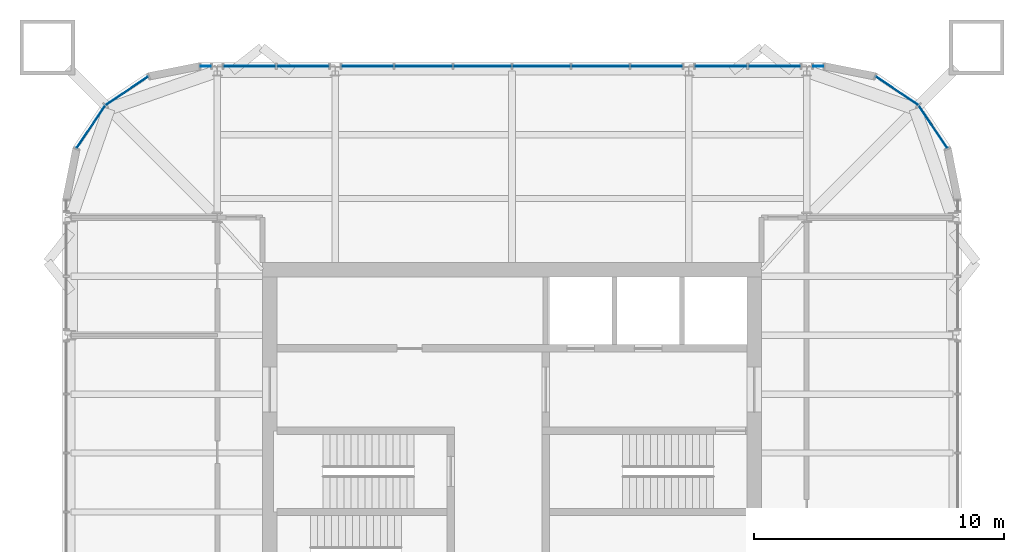
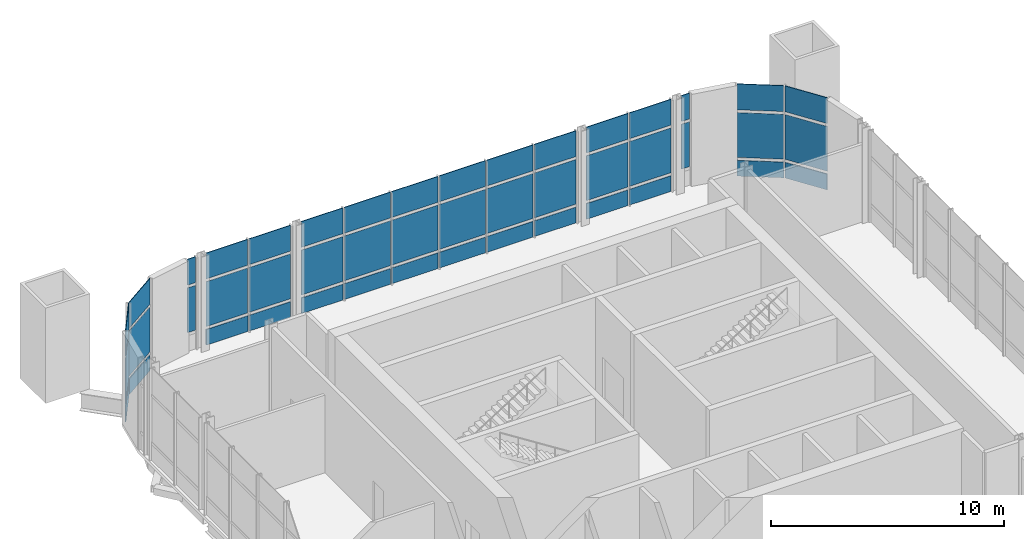
# One storey, part 12 of 15: 46 plates, 7 elements without a shape of their own.
"""IFC4 building model written with IfcOpenShell, lengths in metres."""

from ifc_helpers import new_model, si_unit, direction, frame, origin, origin_2d, place, context, subcontext, project, spatial, rectangle, extrude, material, layer, layer_set, type_object, element, aggregate, save


model = new_model("IFC4")

# Units and contexts
model_context = context("Model", 3, precision=1e-05, world=origin(), true_north=direction((0.0, 1.0)))
body_context = subcontext(model_context, "Body", "Model", "MODEL_VIEW")
ifc_project = project(units=[si_unit("LENGTHUNIT", "METRE"), si_unit("AREAUNIT", "SQUARE_METRE"), si_unit("VOLUMEUNIT", "CUBIC_METRE"), si_unit("PLANEANGLEUNIT", "RADIAN"), si_unit("MASSUNIT", "GRAM", prefix="KILO")], contexts=[model_context])

# Site, building, storey
site_placement = place(None, origin())
site = spatial("IfcSite", under=ifc_project, at=site_placement, CompositionType="ELEMENT")
building_placement = place(site_placement, origin())
building = spatial("IfcBuilding", under=site, at=building_placement, Name="Turquesa Mirador Hotel Tower", CompositionType="ELEMENT")
storey_placement = place(building_placement, frame((0.0, 0.0, 261.699951171875)))
storey = spatial("IfcBuildingStorey", under=building, at=storey_placement, Name="L71", CompositionType="ELEMENT", Elevation=261.699951171875)

# Curtain wall, plates
ifc_material_1 = material(Name="Aluminium extrusion", Category="aluminium")
curtain_wall_type = type_object("IfcCurtainWallType", Name="CW-5 SKY RESTAURANT CURTAIN WALL", PredefinedType="USERDEFINED", material=ifc_material_1)
curtain_wall_1_placement = place(storey_placement, origin())
curtain_wall_1 = element("IfcCurtainWall", 1, at=curtain_wall_1_placement, inside=storey, type_object=curtain_wall_type, Name="CW-5 SKY RESTAURANT CURTAIN WALL L71", ObjectType="CURTAIN WALL", PredefinedType="USERDEFINED")
ifc_material_2 = material(Name="Ceramic-printed spandrel glass on an insulated back pan", Category="glass")
ifc_layer_1 = layer(ifc_material_2, 0.050048828125)
ifc_layer_set_1 = layer_set([ifc_layer_1], Name="CW PANEL SPANDREL CERAMIC")
plate_type_1 = type_object("IfcPlateType", Name="CW PANEL SPANDREL CERAMIC", PredefinedType="CURTAIN_PANEL", material=ifc_layer_set_1)
plate_1_placement = place(storey_placement, frame((71.86279296875, 60.415283203125, 0.0), z_axis=(0.0, 0.0, 1.0), x_axis=(-0.555570141754, 0.831469673284, 0.0)))
plate_1 = element("IfcPlate", 2, at=plate_1_placement, type_object=plate_type_1, Name="Panel", PredefinedType="CURTAIN_PANEL", context=body_context, shape_type="SweptSolid", body=[
    extrude(rectangle(XDim=2.0224609375, YDim=0.050048828125, at=origin_2d()), origin(), (0.0, 0.0, 1.0), 0.824951171875),
])
plate_2_placement = place(storey_placement, frame((70.415283203125, 61.86279296875, 0.0), z_axis=(0.0, 0.0, 1.0), x_axis=(-0.831469673284, 0.555570141754, 0.0)))
plate_2 = element("IfcPlate", 3, at=plate_2_placement, type_object=plate_type_1, Name="Panel", PredefinedType="CURTAIN_PANEL", context=body_context, shape_type="SweptSolid", body=[
    extrude(rectangle(XDim=2.0224609375, YDim=0.050048828125, at=origin_2d()), origin(), (0.0, 0.0, 1.0), 0.824951171875),
])

curtain_wall_2_placement = place(storey_placement, origin())
curtain_wall_2 = element("IfcCurtainWall", 4, at=curtain_wall_2_placement, inside=storey, type_object=curtain_wall_type, Name="CW-5 SKY RESTAURANT CURTAIN WALL L71", ObjectType="CURTAIN WALL", PredefinedType="USERDEFINED")
plate_3_placement = place(storey_placement, frame((65.503173828125, 62.85009765625, 0.0), z_axis=(0.0, 0.0, 1.0), x_axis=(-1.0, 0.0, 0.0)))
plate_3 = element("IfcPlate", 5, at=plate_3_placement, type_object=plate_type_1, Name="Panel", PredefinedType="CURTAIN_PANEL", context=body_context, shape_type="SweptSolid", body=[
    extrude(rectangle(XDim=2.06103515625, YDim=0.050048828125, at=origin_2d()), origin(), (0.0, 0.0, 1.0), 0.824951171875),
])
plate_4_placement = place(storey_placement, frame((63.376953125, 62.85009765625, 0.0), z_axis=(0.0, 0.0, 1.0), x_axis=(-1.0, 0.0, 0.0)))
plate_4 = element("IfcPlate", 6, at=plate_4_placement, type_object=plate_type_1, Name="Panel", PredefinedType="CURTAIN_PANEL", context=body_context, shape_type="SweptSolid", body=[
    extrude(rectangle(XDim=2.06103515625, YDim=0.050048828125, at=origin_2d()), origin(), (0.0, 0.0, 1.0), 0.824951171875),
])

curtain_wall_3_placement = place(storey_placement, origin())
curtain_wall_3 = element("IfcCurtainWall", 7, at=curtain_wall_3_placement, inside=storey, type_object=curtain_wall_type, Name="CW-5 SKY RESTAURANT CURTAIN WALL L71", ObjectType="CURTAIN WALL", PredefinedType="USERDEFINED")
plate_5_placement = place(storey_placement, frame((60.782958984375, 62.85009765625, 0.0), z_axis=(0.0, 0.0, 1.0), x_axis=(-1.0, 0.0, 0.0)))
plate_5 = element("IfcPlate", 8, at=plate_5_placement, type_object=plate_type_1, Name="Panel", PredefinedType="CURTAIN_PANEL", context=body_context, shape_type="SweptSolid", body=[
    extrude(rectangle(XDim=2.06103515625, YDim=0.050048828125, at=origin_2d()), origin(), (0.0, 0.0, 1.0), 0.824951171875),
])
plate_6_placement = place(storey_placement, frame((58.5400390625, 62.85009765625, 0.0), z_axis=(0.0, 0.0, 1.0), x_axis=(-1.0, 0.0, 0.0)))
plate_6 = element("IfcPlate", 9, at=plate_6_placement, type_object=plate_type_1, Name="Panel", PredefinedType="CURTAIN_PANEL", context=body_context, shape_type="SweptSolid", body=[
    extrude(rectangle(XDim=2.294921875, YDim=0.050048828125, at=origin_2d()), origin(), (0.0, 0.0, 1.0), 0.824951171875),
])
plate_7_placement = place(storey_placement, frame((56.179931640625, 62.85009765625, 0.0), z_axis=(0.0, 0.0, 1.0), x_axis=(-1.0, 0.0, 0.0)))
plate_7 = element("IfcPlate", 10, at=plate_7_placement, type_object=plate_type_1, Name="Panel", PredefinedType="CURTAIN_PANEL", context=body_context, shape_type="SweptSolid", body=[
    extrude(rectangle(XDim=2.294921875, YDim=0.050048828125, at=origin_2d()), origin(), (0.0, 0.0, 1.0), 0.824951171875),
])
plate_8_placement = place(storey_placement, frame((53.820068359375, 62.85009765625, 0.0), z_axis=(0.0, 0.0, 1.0), x_axis=(-1.0, 0.0, 0.0)))
plate_8 = element("IfcPlate", 11, at=plate_8_placement, type_object=plate_type_1, Name="Panel", PredefinedType="CURTAIN_PANEL", context=body_context, shape_type="SweptSolid", body=[
    extrude(rectangle(XDim=2.294921875, YDim=0.050048828125, at=origin_2d()), origin(), (0.0, 0.0, 1.0), 0.824951171875),
])
plate_9_placement = place(storey_placement, frame((51.4599609375, 62.85009765625, 0.0), z_axis=(0.0, 0.0, 1.0), x_axis=(-1.0, 0.0, 0.0)))
plate_9 = element("IfcPlate", 12, at=plate_9_placement, type_object=plate_type_1, Name="Panel", PredefinedType="CURTAIN_PANEL", context=body_context, shape_type="SweptSolid", body=[
    extrude(rectangle(XDim=2.294921875, YDim=0.050048828125, at=origin_2d()), origin(), (0.0, 0.0, 1.0), 0.824951171875),
])
plate_10_placement = place(storey_placement, frame((49.217041015625, 62.85009765625, 0.0), z_axis=(0.0, 0.0, 1.0), x_axis=(-1.0, 0.0, 0.0)))
plate_10 = element("IfcPlate", 13, at=plate_10_placement, type_object=plate_type_1, Name="Panel", PredefinedType="CURTAIN_PANEL", context=body_context, shape_type="SweptSolid", body=[
    extrude(rectangle(XDim=2.06103515625, YDim=0.050048828125, at=origin_2d()), origin(), (0.0, 0.0, 1.0), 0.824951171875),
])

curtain_wall_4_placement = place(storey_placement, origin())
curtain_wall_4 = element("IfcCurtainWall", 14, at=curtain_wall_4_placement, inside=storey, type_object=curtain_wall_type, Name="CW-5 SKY RESTAURANT CURTAIN WALL L71", ObjectType="CURTAIN WALL", PredefinedType="USERDEFINED")
plate_11_placement = place(storey_placement, frame((46.623046875, 62.85009765625, 0.0), z_axis=(0.0, 0.0, 1.0), x_axis=(-1.0, 0.0, 0.0)))
plate_11 = element("IfcPlate", 15, at=plate_11_placement, type_object=plate_type_1, Name="Panel", PredefinedType="CURTAIN_PANEL", context=body_context, shape_type="SweptSolid", body=[
    extrude(rectangle(XDim=2.06103515625, YDim=0.050048828125, at=origin_2d()), origin(), (0.0, 0.0, 1.0), 0.824951171875),
])
plate_12_placement = place(storey_placement, frame((44.496826171875, 62.85009765625, 0.0), z_axis=(0.0, 0.0, 1.0), x_axis=(-1.0, 0.0, 0.0)))
plate_12 = element("IfcPlate", 16, at=plate_12_placement, type_object=plate_type_1, Name="Panel", PredefinedType="CURTAIN_PANEL", context=body_context, shape_type="SweptSolid", body=[
    extrude(rectangle(XDim=2.06103515625, YDim=0.050048828125, at=origin_2d()), origin(), (0.0, 0.0, 1.0), 0.824951171875),
])

curtain_wall_5_placement = place(storey_placement, origin())
curtain_wall_5 = element("IfcCurtainWall", 17, at=curtain_wall_5_placement, inside=storey, type_object=curtain_wall_type, Name="CW-5 SKY RESTAURANT CURTAIN WALL L71", ObjectType="CURTAIN WALL", PredefinedType="USERDEFINED")
plate_13_placement = place(storey_placement, frame((39.584716796875, 61.86279296875, 0.0), z_axis=(0.0, 0.0, 1.0), x_axis=(-0.831469673284, -0.555570141754, 0.0)))
plate_13 = element("IfcPlate", 18, at=plate_13_placement, type_object=plate_type_1, Name="Panel", PredefinedType="CURTAIN_PANEL", context=body_context, shape_type="SweptSolid", body=[
    extrude(rectangle(XDim=2.0224609375, YDim=0.050048828125, at=origin_2d()), origin(), (0.0, 0.0, 1.0), 0.824951171875),
])
plate_14_placement = place(storey_placement, frame((38.13720703125, 60.415283203125, 0.0), z_axis=(0.0, 0.0, 1.0), x_axis=(-0.555570141754, -0.831469673284, 0.0)))
plate_14 = element("IfcPlate", 19, at=plate_14_placement, type_object=plate_type_1, Name="Panel", PredefinedType="CURTAIN_PANEL", context=body_context, shape_type="SweptSolid", body=[
    extrude(rectangle(XDim=2.0224609375, YDim=0.050048828125, at=origin_2d()), origin(), (0.0, 0.0, 1.0), 0.824951171875),
])

# Plate
ifc_material_3 = material(Name="Ceramic-fritted laminated glass", Category="glass")
ifc_layer_2 = layer(ifc_material_3, 0.031982421875)
ifc_layer_set_2 = layer_set([ifc_layer_2], Name="CW PANEL VISION FRITTED")
plate_type_2 = type_object("IfcPlateType", Name="CW PANEL VISION FRITTED", PredefinedType="CURTAIN_PANEL", material=ifc_layer_set_2)
plate_15_placement = place(storey_placement, frame((71.86279296875, 60.415283203125, 0.97509765625), z_axis=(0.0, 0.0, 1.0), x_axis=(-0.555570141754, 0.831469673284, 0.0)))
plate_15 = element("IfcPlate", 20, at=plate_15_placement, type_object=plate_type_2, Name="Panel", PredefinedType="CURTAIN_PANEL", context=body_context, shape_type="SweptSolid", body=[
    extrude(rectangle(XDim=2.0224609375, YDim=0.031982421875, at=origin_2d()), origin(), (0.0, 0.0, 1.0), 2.35009765625),
])

plate_16_placement = place(storey_placement, frame((71.86279296875, 60.415283203125, 3.47509765625), z_axis=(0.0, 0.0, 1.0), x_axis=(-0.555570141754, 0.831469673284, 0.0)))
plate_16 = element("IfcPlate", 21, at=plate_16_placement, type_object=plate_type_2, Name="Panel", PredefinedType="CURTAIN_PANEL", context=body_context, shape_type="SweptSolid", body=[
    extrude(rectangle(XDim=2.0224609375, YDim=0.031982421875, at=origin_2d()), origin(), (0.0, 0.0, 1.0), 1.35498046875),
])

plate_17_placement = place(storey_placement, frame((70.415283203125, 61.86279296875, 0.97509765625), z_axis=(0.0, 0.0, 1.0), x_axis=(-0.831469673284, 0.555570141754, 0.0)))
plate_17 = element("IfcPlate", 22, at=plate_17_placement, type_object=plate_type_2, Name="Panel", PredefinedType="CURTAIN_PANEL", context=body_context, shape_type="SweptSolid", body=[
    extrude(rectangle(XDim=2.0224609375, YDim=0.031982421875, at=origin_2d()), origin(), (0.0, 0.0, 1.0), 2.35009765625),
])

plate_18_placement = place(storey_placement, frame((70.415283203125, 61.86279296875, 3.47509765625), z_axis=(0.0, 0.0, 1.0), x_axis=(-0.831469673284, 0.555570141754, 0.0)))
plate_18 = element("IfcPlate", 23, at=plate_18_placement, type_object=plate_type_2, Name="Panel", PredefinedType="CURTAIN_PANEL", context=body_context, shape_type="SweptSolid", body=[
    extrude(rectangle(XDim=2.0224609375, YDim=0.031982421875, at=origin_2d()), origin(), (0.0, 0.0, 1.0), 1.35498046875),
])

aggregate(curtain_wall_1, [plate_1, plate_15, plate_16, plate_2, plate_17, plate_18])

# Curtain wall, plates
curtain_wall_6_placement = place(storey_placement, origin())
curtain_wall_6 = element("IfcCurtainWall", 24, at=curtain_wall_6_placement, inside=storey, type_object=curtain_wall_type, Name="CW-5 SKY RESTAURANT CURTAIN WALL L71", ObjectType="CURTAIN WALL", PredefinedType="USERDEFINED")
plate_19_placement = place(storey_placement, frame((67.266845703125, 62.85009765625, 0.97509765625), z_axis=(0.0, 0.0, 1.0), x_axis=(-1.0, 0.0, 0.0)))
plate_19 = element("IfcPlate", 25, at=plate_19_placement, type_object=plate_type_2, Name="Panel", PredefinedType="CURTAIN_PANEL", context=body_context, shape_type="SweptSolid", body=[
    extrude(rectangle(XDim=0.401123046875, YDim=0.031982421875, at=origin_2d()), origin(), (0.0, 0.0, 1.0), 2.35009765625),
])
plate_20_placement = place(storey_placement, frame((67.266845703125, 62.85009765625, 3.47509765625), z_axis=(0.0, 0.0, 1.0), x_axis=(-1.0, 0.0, 0.0)))
plate_20 = element("IfcPlate", 26, at=plate_20_placement, type_object=plate_type_2, Name="Panel", PredefinedType="CURTAIN_PANEL", context=body_context, shape_type="SweptSolid", body=[
    extrude(rectangle(XDim=0.401123046875, YDim=0.031982421875, at=origin_2d()), origin(), (0.0, 0.0, 1.0), 1.35498046875),
])
aggregate(curtain_wall_6, [plate_19, plate_20])

# Plate
plate_21_placement = place(storey_placement, frame((65.503173828125, 62.85009765625, 0.97509765625), z_axis=(0.0, 0.0, 1.0), x_axis=(-1.0, 0.0, 0.0)))
plate_21 = element("IfcPlate", 27, at=plate_21_placement, type_object=plate_type_2, Name="Panel", PredefinedType="CURTAIN_PANEL", context=body_context, shape_type="SweptSolid", body=[
    extrude(rectangle(XDim=2.06103515625, YDim=0.031982421875, at=origin_2d()), origin(), (0.0, 0.0, 1.0), 2.35009765625),
])

plate_22_placement = place(storey_placement, frame((65.503173828125, 62.85009765625, 3.47509765625), z_axis=(0.0, 0.0, 1.0), x_axis=(-1.0, 0.0, 0.0)))
plate_22 = element("IfcPlate", 28, at=plate_22_placement, type_object=plate_type_2, Name="Panel", PredefinedType="CURTAIN_PANEL", context=body_context, shape_type="SweptSolid", body=[
    extrude(rectangle(XDim=2.06103515625, YDim=0.031982421875, at=origin_2d()), origin(), (0.0, 0.0, 1.0), 1.35498046875),
])

plate_23_placement = place(storey_placement, frame((63.376953125, 62.85009765625, 0.97509765625), z_axis=(0.0, 0.0, 1.0), x_axis=(-1.0, 0.0, 0.0)))
plate_23 = element("IfcPlate", 29, at=plate_23_placement, type_object=plate_type_2, Name="Panel", PredefinedType="CURTAIN_PANEL", context=body_context, shape_type="SweptSolid", body=[
    extrude(rectangle(XDim=2.06103515625, YDim=0.031982421875, at=origin_2d()), origin(), (0.0, 0.0, 1.0), 2.35009765625),
])

plate_24_placement = place(storey_placement, frame((63.376953125, 62.85009765625, 3.47509765625), z_axis=(0.0, 0.0, 1.0), x_axis=(-1.0, 0.0, 0.0)))
plate_24 = element("IfcPlate", 30, at=plate_24_placement, type_object=plate_type_2, Name="Panel", PredefinedType="CURTAIN_PANEL", context=body_context, shape_type="SweptSolid", body=[
    extrude(rectangle(XDim=2.06103515625, YDim=0.031982421875, at=origin_2d()), origin(), (0.0, 0.0, 1.0), 1.35498046875),
])

aggregate(curtain_wall_2, [plate_3, plate_21, plate_22, plate_4, plate_23, plate_24])

plate_25_placement = place(storey_placement, frame((60.782958984375, 62.85009765625, 0.97509765625), z_axis=(0.0, 0.0, 1.0), x_axis=(-1.0, 0.0, 0.0)))
plate_25 = element("IfcPlate", 31, at=plate_25_placement, type_object=plate_type_2, Name="Panel", PredefinedType="CURTAIN_PANEL", context=body_context, shape_type="SweptSolid", body=[
    extrude(rectangle(XDim=2.06103515625, YDim=0.031982421875, at=origin_2d()), origin(), (0.0, 0.0, 1.0), 2.35009765625),
])

plate_26_placement = place(storey_placement, frame((60.782958984375, 62.85009765625, 3.47509765625), z_axis=(0.0, 0.0, 1.0), x_axis=(-1.0, 0.0, 0.0)))
plate_26 = element("IfcPlate", 32, at=plate_26_placement, type_object=plate_type_2, Name="Panel", PredefinedType="CURTAIN_PANEL", context=body_context, shape_type="SweptSolid", body=[
    extrude(rectangle(XDim=2.06103515625, YDim=0.031982421875, at=origin_2d()), origin(), (0.0, 0.0, 1.0), 1.35498046875),
])

plate_27_placement = place(storey_placement, frame((58.5400390625, 62.85009765625, 0.97509765625), z_axis=(0.0, 0.0, 1.0), x_axis=(-1.0, 0.0, 0.0)))
plate_27 = element("IfcPlate", 33, at=plate_27_placement, type_object=plate_type_2, Name="Panel", PredefinedType="CURTAIN_PANEL", context=body_context, shape_type="SweptSolid", body=[
    extrude(rectangle(XDim=2.294921875, YDim=0.031982421875, at=origin_2d()), origin(), (0.0, 0.0, 1.0), 2.35009765625),
])

plate_28_placement = place(storey_placement, frame((58.5400390625, 62.85009765625, 3.47509765625), z_axis=(0.0, 0.0, 1.0), x_axis=(-1.0, 0.0, 0.0)))
plate_28 = element("IfcPlate", 34, at=plate_28_placement, type_object=plate_type_2, Name="Panel", PredefinedType="CURTAIN_PANEL", context=body_context, shape_type="SweptSolid", body=[
    extrude(rectangle(XDim=2.294921875, YDim=0.031982421875, at=origin_2d()), origin(), (0.0, 0.0, 1.0), 1.35498046875),
])

plate_29_placement = place(storey_placement, frame((56.179931640625, 62.85009765625, 0.97509765625), z_axis=(0.0, 0.0, 1.0), x_axis=(-1.0, 0.0, 0.0)))
plate_29 = element("IfcPlate", 35, at=plate_29_placement, type_object=plate_type_2, Name="Panel", PredefinedType="CURTAIN_PANEL", context=body_context, shape_type="SweptSolid", body=[
    extrude(rectangle(XDim=2.294921875, YDim=0.031982421875, at=origin_2d()), origin(), (0.0, 0.0, 1.0), 2.35009765625),
])

plate_30_placement = place(storey_placement, frame((56.179931640625, 62.85009765625, 3.47509765625), z_axis=(0.0, 0.0, 1.0), x_axis=(-1.0, 0.0, 0.0)))
plate_30 = element("IfcPlate", 36, at=plate_30_placement, type_object=plate_type_2, Name="Panel", PredefinedType="CURTAIN_PANEL", context=body_context, shape_type="SweptSolid", body=[
    extrude(rectangle(XDim=2.294921875, YDim=0.031982421875, at=origin_2d()), origin(), (0.0, 0.0, 1.0), 1.35498046875),
])

plate_31_placement = place(storey_placement, frame((53.820068359375, 62.85009765625, 0.97509765625), z_axis=(0.0, 0.0, 1.0), x_axis=(-1.0, 0.0, 0.0)))
plate_31 = element("IfcPlate", 37, at=plate_31_placement, type_object=plate_type_2, Name="Panel", PredefinedType="CURTAIN_PANEL", context=body_context, shape_type="SweptSolid", body=[
    extrude(rectangle(XDim=2.294921875, YDim=0.031982421875, at=origin_2d()), origin(), (0.0, 0.0, 1.0), 2.35009765625),
])

plate_32_placement = place(storey_placement, frame((53.820068359375, 62.85009765625, 3.47509765625), z_axis=(0.0, 0.0, 1.0), x_axis=(-1.0, 0.0, 0.0)))
plate_32 = element("IfcPlate", 38, at=plate_32_placement, type_object=plate_type_2, Name="Panel", PredefinedType="CURTAIN_PANEL", context=body_context, shape_type="SweptSolid", body=[
    extrude(rectangle(XDim=2.294921875, YDim=0.031982421875, at=origin_2d()), origin(), (0.0, 0.0, 1.0), 1.35498046875),
])

plate_33_placement = place(storey_placement, frame((51.4599609375, 62.85009765625, 0.97509765625), z_axis=(0.0, 0.0, 1.0), x_axis=(-1.0, 0.0, 0.0)))
plate_33 = element("IfcPlate", 39, at=plate_33_placement, type_object=plate_type_2, Name="Panel", PredefinedType="CURTAIN_PANEL", context=body_context, shape_type="SweptSolid", body=[
    extrude(rectangle(XDim=2.294921875, YDim=0.031982421875, at=origin_2d()), origin(), (0.0, 0.0, 1.0), 2.35009765625),
])

plate_34_placement = place(storey_placement, frame((51.4599609375, 62.85009765625, 3.47509765625), z_axis=(0.0, 0.0, 1.0), x_axis=(-1.0, 0.0, 0.0)))
plate_34 = element("IfcPlate", 40, at=plate_34_placement, type_object=plate_type_2, Name="Panel", PredefinedType="CURTAIN_PANEL", context=body_context, shape_type="SweptSolid", body=[
    extrude(rectangle(XDim=2.294921875, YDim=0.031982421875, at=origin_2d()), origin(), (0.0, 0.0, 1.0), 1.35498046875),
])

plate_35_placement = place(storey_placement, frame((49.217041015625, 62.85009765625, 0.97509765625), z_axis=(0.0, 0.0, 1.0), x_axis=(-1.0, 0.0, 0.0)))
plate_35 = element("IfcPlate", 41, at=plate_35_placement, type_object=plate_type_2, Name="Panel", PredefinedType="CURTAIN_PANEL", context=body_context, shape_type="SweptSolid", body=[
    extrude(rectangle(XDim=2.06103515625, YDim=0.031982421875, at=origin_2d()), origin(), (0.0, 0.0, 1.0), 2.35009765625),
])

plate_36_placement = place(storey_placement, frame((49.217041015625, 62.85009765625, 3.47509765625), z_axis=(0.0, 0.0, 1.0), x_axis=(-1.0, 0.0, 0.0)))
plate_36 = element("IfcPlate", 42, at=plate_36_placement, type_object=plate_type_2, Name="Panel", PredefinedType="CURTAIN_PANEL", context=body_context, shape_type="SweptSolid", body=[
    extrude(rectangle(XDim=2.06103515625, YDim=0.031982421875, at=origin_2d()), origin(), (0.0, 0.0, 1.0), 1.35498046875),
])

aggregate(curtain_wall_3, [plate_5, plate_25, plate_26, plate_6, plate_27, plate_28, plate_7, plate_29, plate_30, plate_8, plate_31, plate_32, plate_9, plate_33, plate_34, plate_10, plate_35, plate_36])

plate_37_placement = place(storey_placement, frame((46.623046875, 62.85009765625, 0.97509765625), z_axis=(0.0, 0.0, 1.0), x_axis=(-1.0, 0.0, 0.0)))
plate_37 = element("IfcPlate", 43, at=plate_37_placement, type_object=plate_type_2, Name="Panel", PredefinedType="CURTAIN_PANEL", context=body_context, shape_type="SweptSolid", body=[
    extrude(rectangle(XDim=2.06103515625, YDim=0.031982421875, at=origin_2d()), origin(), (0.0, 0.0, 1.0), 2.35009765625),
])

plate_38_placement = place(storey_placement, frame((46.623046875, 62.85009765625, 3.47509765625), z_axis=(0.0, 0.0, 1.0), x_axis=(-1.0, 0.0, 0.0)))
plate_38 = element("IfcPlate", 44, at=plate_38_placement, type_object=plate_type_2, Name="Panel", PredefinedType="CURTAIN_PANEL", context=body_context, shape_type="SweptSolid", body=[
    extrude(rectangle(XDim=2.06103515625, YDim=0.031982421875, at=origin_2d()), origin(), (0.0, 0.0, 1.0), 1.35498046875),
])

plate_39_placement = place(storey_placement, frame((44.496826171875, 62.85009765625, 0.97509765625), z_axis=(0.0, 0.0, 1.0), x_axis=(-1.0, 0.0, 0.0)))
plate_39 = element("IfcPlate", 45, at=plate_39_placement, type_object=plate_type_2, Name="Panel", PredefinedType="CURTAIN_PANEL", context=body_context, shape_type="SweptSolid", body=[
    extrude(rectangle(XDim=2.06103515625, YDim=0.031982421875, at=origin_2d()), origin(), (0.0, 0.0, 1.0), 2.35009765625),
])

plate_40_placement = place(storey_placement, frame((44.496826171875, 62.85009765625, 3.47509765625), z_axis=(0.0, 0.0, 1.0), x_axis=(-1.0, 0.0, 0.0)))
plate_40 = element("IfcPlate", 46, at=plate_40_placement, type_object=plate_type_2, Name="Panel", PredefinedType="CURTAIN_PANEL", context=body_context, shape_type="SweptSolid", body=[
    extrude(rectangle(XDim=2.06103515625, YDim=0.031982421875, at=origin_2d()), origin(), (0.0, 0.0, 1.0), 1.35498046875),
])

aggregate(curtain_wall_4, [plate_11, plate_37, plate_38, plate_12, plate_39, plate_40])

# Curtain wall, plates
curtain_wall_7_placement = place(storey_placement, origin())
curtain_wall_7 = element("IfcCurtainWall", 47, at=curtain_wall_7_placement, inside=storey, type_object=curtain_wall_type, Name="CW-5 SKY RESTAURANT CURTAIN WALL L71", ObjectType="CURTAIN WALL", PredefinedType="USERDEFINED")
plate_41_placement = place(storey_placement, frame((42.733154296875, 62.85009765625, 0.97509765625), z_axis=(0.0, 0.0, 1.0), x_axis=(-1.0, 0.0, 0.0)))
plate_41 = element("IfcPlate", 48, at=plate_41_placement, type_object=plate_type_2, Name="Panel", PredefinedType="CURTAIN_PANEL", context=body_context, shape_type="SweptSolid", body=[
    extrude(rectangle(XDim=0.401123046875, YDim=0.031982421875, at=origin_2d()), origin(), (0.0, 0.0, 1.0), 2.35009765625),
])
plate_42_placement = place(storey_placement, frame((42.733154296875, 62.85009765625, 3.47509765625), z_axis=(0.0, 0.0, 1.0), x_axis=(-1.0, 0.0, 0.0)))
plate_42 = element("IfcPlate", 49, at=plate_42_placement, type_object=plate_type_2, Name="Panel", PredefinedType="CURTAIN_PANEL", context=body_context, shape_type="SweptSolid", body=[
    extrude(rectangle(XDim=0.401123046875, YDim=0.031982421875, at=origin_2d()), origin(), (0.0, 0.0, 1.0), 1.35498046875),
])
aggregate(curtain_wall_7, [plate_41, plate_42])

# Plate
plate_43_placement = place(storey_placement, frame((39.584716796875, 61.86279296875, 0.97509765625), z_axis=(0.0, 0.0, 1.0), x_axis=(-0.831469673284, -0.555570141754, 0.0)))
plate_43 = element("IfcPlate", 50, at=plate_43_placement, type_object=plate_type_2, Name="Panel", PredefinedType="CURTAIN_PANEL", context=body_context, shape_type="SweptSolid", body=[
    extrude(rectangle(XDim=2.0224609375, YDim=0.031982421875, at=origin_2d()), origin(), (0.0, 0.0, 1.0), 2.35009765625),
])

plate_44_placement = place(storey_placement, frame((39.584716796875, 61.86279296875, 3.47509765625), z_axis=(0.0, 0.0, 1.0), x_axis=(-0.831469673284, -0.555570141754, 0.0)))
plate_44 = element("IfcPlate", 51, at=plate_44_placement, type_object=plate_type_2, Name="Panel", PredefinedType="CURTAIN_PANEL", context=body_context, shape_type="SweptSolid", body=[
    extrude(rectangle(XDim=2.0224609375, YDim=0.031982421875, at=origin_2d()), origin(), (0.0, 0.0, 1.0), 1.35498046875),
])

plate_45_placement = place(storey_placement, frame((38.13720703125, 60.415283203125, 0.97509765625), z_axis=(0.0, 0.0, 1.0), x_axis=(-0.555570141754, -0.831469673284, 0.0)))
plate_45 = element("IfcPlate", 52, at=plate_45_placement, type_object=plate_type_2, Name="Panel", PredefinedType="CURTAIN_PANEL", context=body_context, shape_type="SweptSolid", body=[
    extrude(rectangle(XDim=2.0224609375, YDim=0.031982421875, at=origin_2d()), origin(), (0.0, 0.0, 1.0), 2.35009765625),
])

plate_46_placement = place(storey_placement, frame((38.13720703125, 60.415283203125, 3.47509765625), z_axis=(0.0, 0.0, 1.0), x_axis=(-0.555570141754, -0.831469673284, 0.0)))
plate_46 = element("IfcPlate", 53, at=plate_46_placement, type_object=plate_type_2, Name="Panel", PredefinedType="CURTAIN_PANEL", context=body_context, shape_type="SweptSolid", body=[
    extrude(rectangle(XDim=2.0224609375, YDim=0.031982421875, at=origin_2d()), origin(), (0.0, 0.0, 1.0), 1.35498046875),
])

aggregate(curtain_wall_5, [plate_13, plate_43, plate_44, plate_14, plate_45, plate_46])

save(model, "model.ifc")
